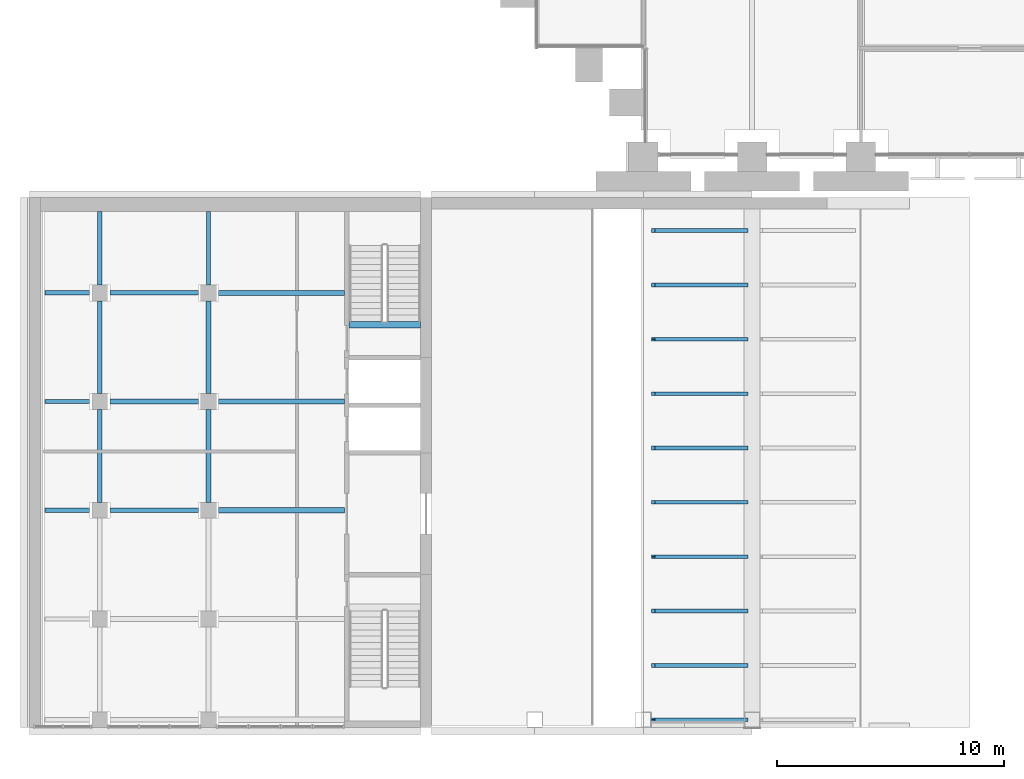
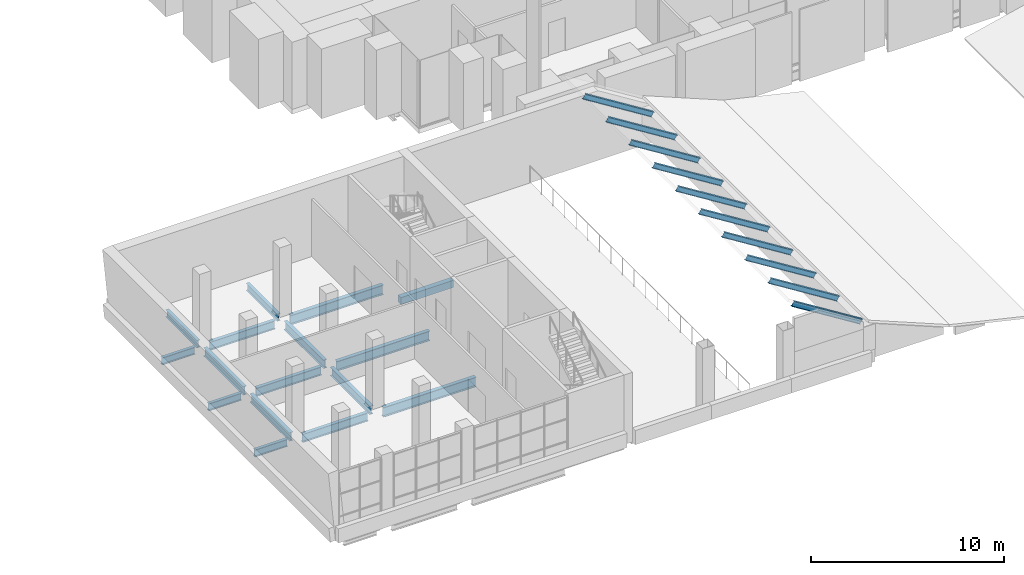
# One storey, part 5 of 32: 26 beams.
"""IFC4 building model written with IfcOpenShell, lengths in metres."""

from ifc_helpers import new_model, si_unit, direction, frame, origin, origin_2d, place, context, subcontext, project, spatial, rectangle, i_section, extrude, material, material_profile, profile_set, type_object, element, save


model = new_model("IFC4")

# Units and contexts
model_context = context("Model", 3, precision=1e-05, world=origin(), true_north=direction((0.0, 1.0)))
body_context = subcontext(model_context, "Body", "Model", "MODEL_VIEW")
ifc_project = project(units=[si_unit("LENGTHUNIT", "METRE"), si_unit("AREAUNIT", "SQUARE_METRE"), si_unit("VOLUMEUNIT", "CUBIC_METRE"), si_unit("PLANEANGLEUNIT", "RADIAN"), si_unit("MASSUNIT", "GRAM", prefix="KILO")], contexts=[model_context])

# Site, building, storey
site_placement = place(None, origin())
site = spatial("IfcSite", under=ifc_project, at=site_placement, CompositionType="ELEMENT")
building_placement = place(site_placement, origin())
building = spatial("IfcBuilding", under=site, at=building_placement, Name="Baori Bourse Tower", CompositionType="ELEMENT")
storey_placement = place(building_placement, frame((0.0, 0.0, 12.60009765625)))
storey = spatial("IfcBuildingStorey", under=building, at=storey_placement, Name="L01", CompositionType="ELEMENT", Elevation=12.60009765625)

# Beams
ifc_material_1 = material(Name="Concrete f'c 40 MPa", Category="concrete")
ifc_material_profile_1 = material_profile(ifc_material_1, rectangle(XDim=0.300048828125, YDim=0.449951171875, at=origin_2d()), Name="Stair trimmer beam 300x450")
ifc_profile_set_1 = profile_set([ifc_material_profile_1], Name="Concrete f'c 40 MPa")
beam_type_1 = type_object("IfcBeamType", Name="Stair trimmer beam 300x450", PredefinedType="BEAM", material=ifc_profile_set_1)
beam_1_placement = place(storey_placement, frame((-0.25, -7.409912109375, -0.525146484375), z_axis=(-1.0, 0.0, 0.0), x_axis=(0.0, -1.0, 0.0)))
element("IfcBeam", 1, at=beam_1_placement, inside=storey, type_object=beam_type_1, Name="wing/L01/Wtrimmer/001", PredefinedType="BEAM", context=body_context, shape_type="SweptSolid", body=[
    extrude(rectangle(XDim=0.300048828125, YDim=0.449951171875, at=origin_2d()), origin(), (0.0, 0.0, 1.0), 3.14990234375),
])
ifc_material_2 = material(Name="Steel A992 Gr 50", Category="steel")
ifc_material_profile_2 = material_profile(ifc_material_2, i_section(OverallWidth=0.164794921875, OverallDepth=0.309814453125, WebThickness=0.005859375, FlangeThickness=0.009765625, at=origin_2d()), Name="W12x26")
ifc_profile_set_2 = profile_set([ifc_material_profile_2], Name="Steel A992 Gr 50")
beam_type_2 = type_object("IfcBeamType", Name="Wing beam W12x26", PredefinedType="BEAM", material=ifc_profile_set_2)
for number, where, z_axis, x_axis, name in (
    (2, (10.0322265625, -24.85009765625, 5.117431640625), (0.847853614317, 0.0, -0.530230373224), (0.0, 1.0, 0.0), "wing/L01/purlin/001"),
    (3, (10.0322265625, -22.449951171875, 5.117431640625), (0.847853614317, 0.0, -0.530230373224), (0.0, 1.0, 0.0), "wing/L01/purlin/002"),
    (4, (10.0322265625, -20.050048828125, 5.117431640625), (0.847853614317, 0.0, -0.530230373224), (0.0, 1.0, 0.0), "wing/L01/purlin/003"),
    (5, (10.0322265625, -17.64990234375, 5.117431640625), (0.847853614317, 0.0, -0.530230373224), (0.0, 1.0, 0.0), "wing/L01/purlin/004"),
    (6, (10.0322265625, -15.25, 5.117431640625), (0.847853614317, 0.0, -0.530230373224), (0.0, 1.0, 0.0), "wing/L01/purlin/005"),
    (7, (10.0322265625, -12.85009765625, 5.117431640625), (0.847853614317, 0.0, -0.530230373224), (0.0, 1.0, 0.0), "wing/L01/purlin/006"),
    (8, (10.0322265625, -10.449951171875, 5.117431640625), (0.847853614317, 0.0, -0.530230373224), (0.0, 1.0, 0.0), "wing/L01/purlin/007"),
    (9, (10.0322265625, -8.050048828125, 5.117431640625), (0.847853614317, 0.0, -0.530230373224), (0.0, 1.0, 0.0), "wing/L01/purlin/008"),
    (10, (10.0322265625, -5.64990234375, 5.117431640625), (0.847853614317, 0.0, -0.530230373224), (0.0, 1.0, 0.0), "wing/L01/purlin/009"),
    (11, (10.0322265625, -3.25, 5.117431640625), (0.847853614317, 0.0, -0.530230373224), (0.0, 1.0, 0.0), "wing/L01/purlin/010"),
):
    element("IfcBeam", number, at=place(storey_placement, frame(where, z_axis=z_axis, x_axis=x_axis)), inside=storey, type_object=beam_type_2, Name=name, PredefinedType="BEAM", context=body_context, shape_type="SweptSolid", body=[
        extrude(i_section(OverallWidth=0.164794921875, OverallDepth=0.309814453125, WebThickness=0.005859375, FlangeThickness=0.009765625, at=origin_2d()), origin(), (0.0, 0.0, 1.0), 4.83544921875),
    ])
ifc_material_3 = material(Name="Steel A992 Gr 50", Category="steel")
ifc_material_profile_3 = material_profile(ifc_material_3, i_section(OverallWidth=0.1904296875, OverallDepth=0.457275390625, WebThickness=0.009033203125, FlangeThickness=0.014404296875, at=origin_2d()), Name="W18x50")
ifc_profile_set_3 = profile_set([ifc_material_profile_3], Name="Steel A992 Gr 50")
beam_type_3 = type_object("IfcBeamType", Name="Wing beam W18x50", PredefinedType="BEAM", material=ifc_profile_set_3)
for number, where, z_axis, x_axis, name in (
    (12, (-16.81591796875, -15.60009765625, -0.52880859375), (1.0, 0.0, 0.0), (0.0, 1.0, 0.0), "wing/L01/Wbeam/007"),
    (13, (-16.81591796875, -10.800048828125, -0.52880859375), (1.0, 0.0, 0.0), (0.0, 1.0, 0.0), "wing/L01/Wbeam/010"),
    (14, (-16.81591796875, -6.0, -0.52880859375), (1.0, 0.0, 0.0), (0.0, 1.0, 0.0), "wing/L01/Wbeam/013"),
):
    element("IfcBeam", number, at=place(storey_placement, frame(where, z_axis=z_axis, x_axis=x_axis)), inside=storey, type_object=beam_type_3, Name=name, PredefinedType="BEAM", context=body_context, shape_type="SweptSolid", body=[
        extrude(i_section(OverallWidth=0.1904296875, OverallDepth=0.457275390625, WebThickness=0.009033203125, FlangeThickness=0.014404296875, at=origin_2d()), origin(), (0.0, 0.0, 1.0), 1.9658203125),
    ])
for number, where, z_axis, x_axis, name in (
    (15, (-14.39990234375, -5.64990234375, -0.52880859375), (0.0, 1.0, 0.0), (-1.0, 0.0, 0.0), "wing/L01/Wbeamy/005"),
    (16, (-9.60009765625, -5.64990234375, -0.52880859375), (0.0, 1.0, 0.0), (-1.0, 0.0, 0.0), "wing/L01/Wbeamy/010"),
):
    element("IfcBeam", number, at=place(storey_placement, frame(where, z_axis=z_axis, x_axis=x_axis)), inside=storey, type_object=beam_type_3, Name=name, PredefinedType="BEAM", context=body_context, shape_type="SweptSolid", body=[
        extrude(i_section(OverallWidth=0.1904296875, OverallDepth=0.457275390625, WebThickness=0.009033203125, FlangeThickness=0.014404296875, at=origin_2d()), origin(), (0.0, 0.0, 1.0), 3.25),
    ])
ifc_material_4 = material(Name="Steel A992 Gr 50", Category="steel")
ifc_material_profile_4 = material_profile(ifc_material_4, i_section(OverallWidth=0.209228515625, OverallDepth=0.533447265625, WebThickness=0.01025390625, FlangeThickness=0.015625, at=origin_2d()), Name="W21x62")
ifc_profile_set_4 = profile_set([ifc_material_profile_4], Name="Steel A992 Gr 50")
beam_type_4 = type_object("IfcBeamType", Name="Wing beam W21x62", PredefinedType="BEAM", material=ifc_profile_set_4)
for number, where, z_axis, x_axis, name in (
    (17, (-13.949951171875, -15.60009765625, -0.56689453125), (1.0, 0.0, 0.0), (0.0, 1.0, 0.0), "wing/L01/Wbeam/008"),
    (18, (-13.949951171875, -10.800048828125, -0.56689453125), (1.0, 0.0, 0.0), (0.0, 1.0, 0.0), "wing/L01/Wbeam/011"),
    (19, (-13.949951171875, -6.0, -0.56689453125), (1.0, 0.0, 0.0), (0.0, 1.0, 0.0), "wing/L01/Wbeam/014"),
):
    element("IfcBeam", number, at=place(storey_placement, frame(where, z_axis=z_axis, x_axis=x_axis)), inside=storey, type_object=beam_type_4, Name=name, PredefinedType="BEAM", context=body_context, shape_type="SweptSolid", body=[
        extrude(i_section(OverallWidth=0.209228515625, OverallDepth=0.533447265625, WebThickness=0.01025390625, FlangeThickness=0.015625, at=origin_2d()), origin(), (0.0, 0.0, 1.0), 3.89990234375),
    ])
beam_2_placement = place(storey_placement, frame((-14.39990234375, -15.25, -0.56689453125), z_axis=(0.0, 1.0, 0.0), x_axis=(-1.0, 0.0, 0.0)))
element("IfcBeam", 20, at=beam_2_placement, inside=storey, type_object=beam_type_4, Name="wing/L01/Wbeamy/003", PredefinedType="BEAM", context=body_context, shape_type="SweptSolid", body=[
    extrude(i_section(OverallWidth=0.209228515625, OverallDepth=0.533447265625, WebThickness=0.01025390625, FlangeThickness=0.015625, at=origin_2d()), origin(), (0.0, 0.0, 1.0), 4.10009765625),
])
beam_3_placement = place(storey_placement, frame((-14.39990234375, -10.449951171875, -0.56689453125), z_axis=(0.0, 1.0, 0.0), x_axis=(-1.0, 0.0, 0.0)))
element("IfcBeam", 21, at=beam_3_placement, inside=storey, type_object=beam_type_4, Name="wing/L01/Wbeamy/004", PredefinedType="BEAM", context=body_context, shape_type="SweptSolid", body=[
    extrude(i_section(OverallWidth=0.209228515625, OverallDepth=0.533447265625, WebThickness=0.01025390625, FlangeThickness=0.015625, at=origin_2d()), origin(), (0.0, 0.0, 1.0), 4.099853515625),
])
beam_4_placement = place(storey_placement, frame((-9.60009765625, -15.25, -0.56689453125), z_axis=(0.0, 1.0, 0.0), x_axis=(-1.0, 0.0, 0.0)))
element("IfcBeam", 22, at=beam_4_placement, inside=storey, type_object=beam_type_4, Name="wing/L01/Wbeamy/008", PredefinedType="BEAM", context=body_context, shape_type="SweptSolid", body=[
    extrude(i_section(OverallWidth=0.209228515625, OverallDepth=0.533447265625, WebThickness=0.01025390625, FlangeThickness=0.015625, at=origin_2d()), origin(), (0.0, 0.0, 1.0), 4.10009765625),
])
beam_5_placement = place(storey_placement, frame((-9.60009765625, -10.449951171875, -0.56689453125), z_axis=(0.0, 1.0, 0.0), x_axis=(-1.0, 0.0, 0.0)))
element("IfcBeam", 23, at=beam_5_placement, inside=storey, type_object=beam_type_4, Name="wing/L01/Wbeamy/009", PredefinedType="BEAM", context=body_context, shape_type="SweptSolid", body=[
    extrude(i_section(OverallWidth=0.209228515625, OverallDepth=0.533447265625, WebThickness=0.01025390625, FlangeThickness=0.015625, at=origin_2d()), origin(), (0.0, 0.0, 1.0), 4.099853515625),
])
ifc_material_5 = material(Name="Steel A992 Gr 50", Category="steel")
ifc_material_profile_5 = material_profile(ifc_material_5, i_section(OverallWidth=0.22900390625, OverallDepth=0.612060546875, WebThickness=0.011962890625, FlangeThickness=0.01953125, at=origin_2d()), Name="W24x84")
ifc_profile_set_5 = profile_set([ifc_material_profile_5], Name="Steel A992 Gr 50")
beam_type_5 = type_object("IfcBeamType", Name="Wing beam W24x84", PredefinedType="BEAM", material=ifc_profile_set_5)
for number, where, z_axis, x_axis, name in (
    (24, (-9.14990234375, -15.60009765625, -0.606201171875), (1.0, 0.0, 0.0), (0.0, 1.0, 0.0), "wing/L01/Wbeam/009"),
    (25, (-9.14990234375, -10.800048828125, -0.606201171875), (1.0, 0.0, 0.0), (0.0, 1.0, 0.0), "wing/L01/Wbeam/012"),
    (26, (-9.14990234375, -6.0, -0.606201171875), (1.0, 0.0, 0.0), (0.0, 1.0, 0.0), "wing/L01/Wbeam/015"),
):
    element("IfcBeam", number, at=place(storey_placement, frame(where, z_axis=z_axis, x_axis=x_axis)), inside=storey, type_object=beam_type_5, Name=name, PredefinedType="BEAM", context=body_context, shape_type="SweptSolid", body=[
        extrude(i_section(OverallWidth=0.22900390625, OverallDepth=0.612060546875, WebThickness=0.011962890625, FlangeThickness=0.01953125, at=origin_2d()), origin(), (0.0, 0.0, 1.0), 5.5498046875),
    ])

save(model, "model.ifc")
